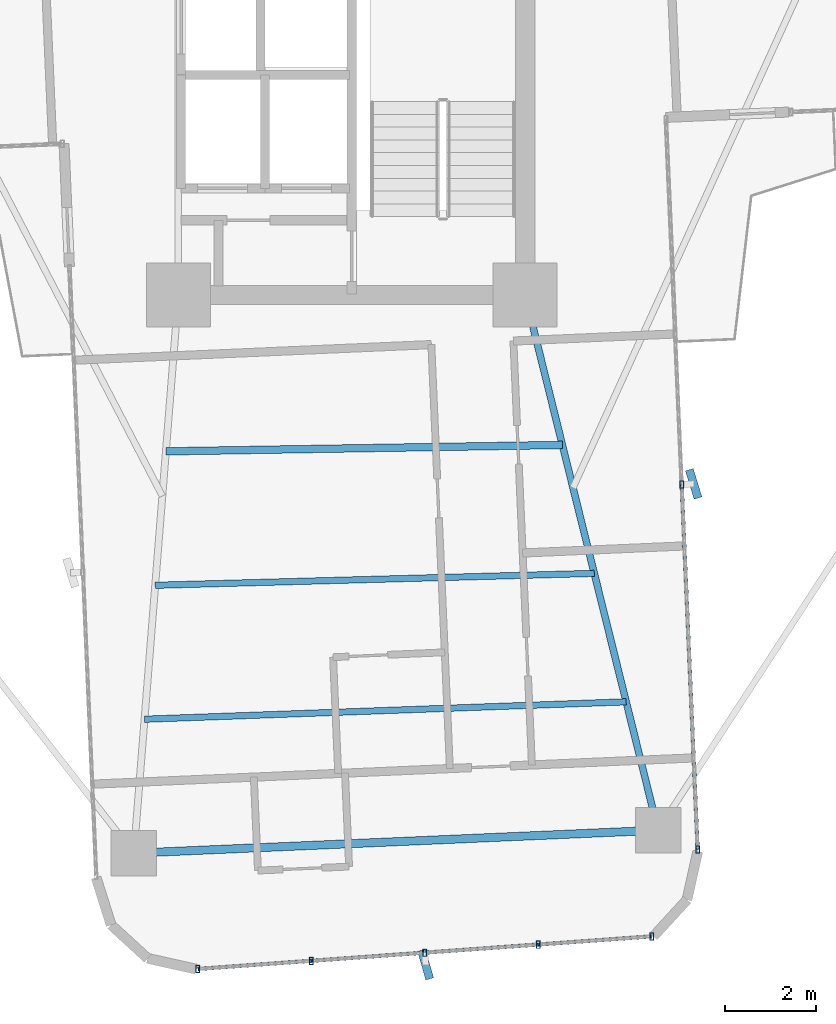
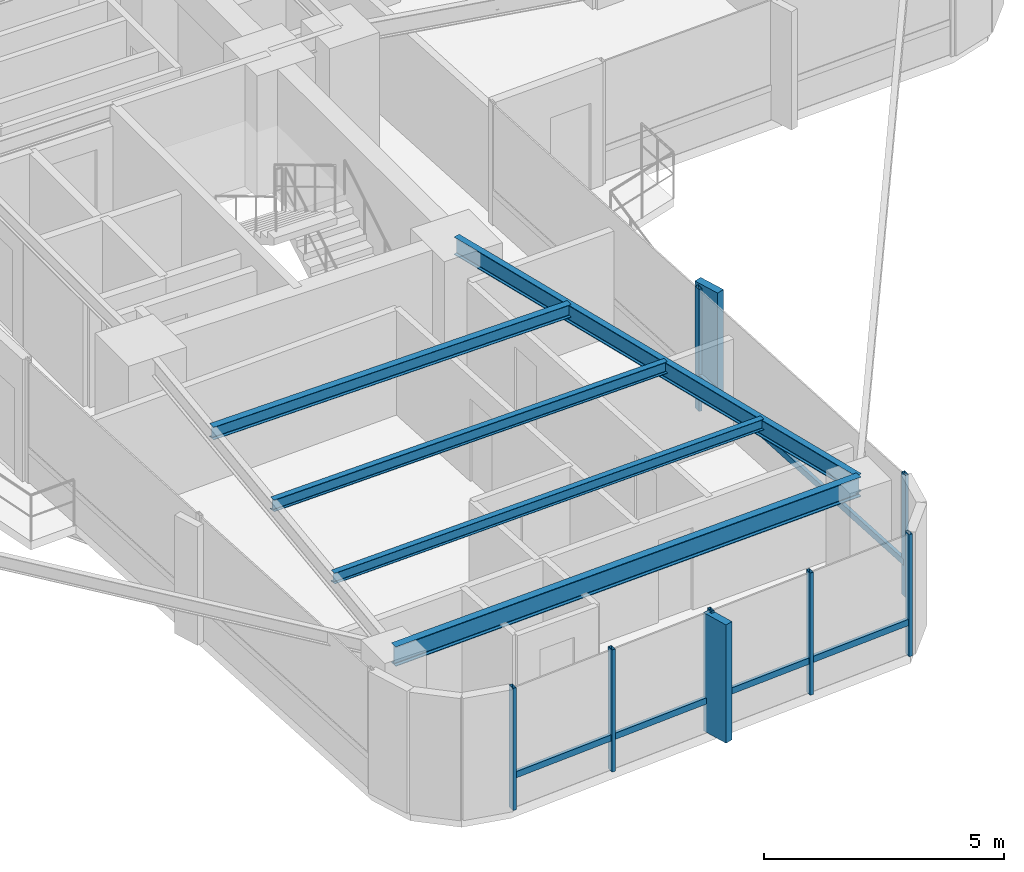
# One storey, part 6 of 26: 14 members, 5 beams, 2 elements without a shape of their own.
"""IFC4 building model written with IfcOpenShell, lengths in metres."""

from ifc_helpers import new_model, si_unit, direction, frame, origin, origin_2d, place, context, subcontext, project, spatial, rectangle, hollow_rectangle, i_section, extrude, source, transform, mapped, material, material_profile, profile_set, type_object, element, aggregate, save


model = new_model("IFC4")

# Units and contexts
model_context = context("Model", 3, precision=1e-05, world=origin(), true_north=direction((0.0, 1.0)))
body_context = subcontext(model_context, "Body", "Model", "MODEL_VIEW")
ifc_project = project(units=[si_unit("LENGTHUNIT", "METRE"), si_unit("AREAUNIT", "SQUARE_METRE"), si_unit("VOLUMEUNIT", "CUBIC_METRE"), si_unit("PLANEANGLEUNIT", "RADIAN"), si_unit("MASSUNIT", "GRAM", prefix="KILO")], contexts=[model_context])

# Site, building, storey
site_placement = place(None, origin())
site = spatial("IfcSite", under=ifc_project, at=site_placement, CompositionType="ELEMENT")
building_placement = place(site_placement, origin())
building = spatial("IfcBuilding", under=site, at=building_placement, Name="Sahyath Konkavel Grand Hotel", CompositionType="ELEMENT")
storey_placement = place(building_placement, frame((0.0, 0.0, 128.199951171875)))
storey = spatial("IfcBuildingStorey", under=building, at=storey_placement, Name="L35", CompositionType="ELEMENT", Elevation=128.199951171875)

# Beams
ifc_material_1 = material(Name="Steel E350", Category="steel")
ifc_material_profile_1 = material_profile(ifc_material_1, i_section(OverallWidth=0.14990234375, OverallDepth=0.449951171875, WebThickness=0.009521484375, FlangeThickness=0.017333984375, FilletRadius=0.014892578125, at=origin_2d()), Name="ISMB 450")
ifc_profile_set_1 = profile_set([ifc_material_profile_1], Name="Steel E350")
beam_type_1 = type_object("IfcBeamType", Name="BM-ISMB450", PredefinedType="BEAM", material=ifc_profile_set_1)
shared_shape_1 = source(origin(), body_context, "Body", "SweptSolid", [
    extrude(i_section(OverallWidth=0.14990234375, OverallDepth=0.449951171875, WebThickness=0.009521484375, FlangeThickness=0.017333984375, FilletRadius=0.014892578125, at=origin_2d()), origin(), (0.0, 0.0, 1.0), 12.084228515625),
])
beam_1_placement = place(storey_placement, frame((3.800048828125, -10.199951171875, 2.885009765625), z_axis=(0.241042688481, -0.970514514229, 0.0), x_axis=(0.970514514229, 0.241042688481, 0.0)))
element("IfcBeam", 1, at=beam_1_placement, inside=storey, type_object=beam_type_1, Name="L35 Cruciform Radial Girder SB", PredefinedType="BEAM", context=body_context, shape_type="MappedRepresentation", body=[
    mapped(shared_shape_1, transform((0.0, 0.0, 0.0), scale=1.0)),
])
ifc_material_profile_2 = material_profile(ifc_material_1, i_section(OverallWidth=0.179931640625, OverallDepth=0.5, WebThickness=0.01025390625, FlangeThickness=0.01708984375, FilletRadius=0.01708984375, at=origin_2d()), Name="ISMB 500")
ifc_profile_set_2 = profile_set([ifc_material_profile_2], Name="Steel E350")
beam_type_2 = type_object("IfcBeamType", Name="BM-ISMB500", PredefinedType="BEAM", material=ifc_profile_set_2)
shared_shape_2 = source(origin(), body_context, "Body", "SweptSolid", [
    extrude(i_section(OverallWidth=0.179931640625, OverallDepth=0.5, WebThickness=0.01025390625, FlangeThickness=0.01708984375, FilletRadius=0.01708984375, at=origin_2d()), origin(), (0.0, 0.0, 1.0), 11.5),
])
beam_2_placement = place(storey_placement, frame((-4.776123046875, -22.4296875, 2.860107421875), z_axis=(0.99904788879, 0.043627008892, 0.0), x_axis=(-0.043627008892, 0.99904788879, 0.0)))
element("IfcBeam", 2, at=beam_2_placement, inside=storey, type_object=beam_type_2, Name="L35 Wing Tip Edge Beam S", PredefinedType="BEAM", context=body_context, shape_type="MappedRepresentation", body=[
    mapped(shared_shape_2, transform((0.0, 0.0, 0.0), scale=1.0)),
])
ifc_material_profile_3 = material_profile(ifc_material_1, i_section(OverallWidth=0.1650390625, OverallDepth=0.324951171875, WebThickness=0.007080078125, FlangeThickness=0.009765625, FilletRadius=0.014892578125, at=origin_2d()), Name="ISLB 325")
ifc_profile_set_3 = profile_set([ifc_material_profile_3], Name="Steel E350")
beam_type_3 = type_object("IfcBeamType", Name="BM-ISLB325", PredefinedType="BEAM", material=ifc_profile_set_3)
shared_shape_3 = source(origin(), body_context, "Body", "SweptSolid", [
    extrude(i_section(OverallWidth=0.1650390625, OverallDepth=0.324951171875, WebThickness=0.007080078125, FlangeThickness=0.009765625, FilletRadius=0.014892578125, at=origin_2d()), origin(), (0.0, 0.0, 1.0), 8.68994140625),
])
beam_3_placement = place(storey_placement, frame((-4.0732421875, -13.624267578125, 2.947509765625), z_axis=(0.999869506431, 0.016154569283, 0.0), x_axis=(-0.016154569283, 0.999869506431, 0.0)))
element("IfcBeam", 3, at=beam_3_placement, inside=storey, type_object=beam_type_3, Name="L35 Secondary Floor Beam S-1", PredefinedType="BEAM", context=body_context, shape_type="MappedRepresentation", body=[
    mapped(shared_shape_3, transform((0.0, 0.0, 0.0), scale=1.0)),
])
ifc_material_profile_4 = material_profile(ifc_material_1, i_section(OverallWidth=0.139892578125, OverallDepth=0.300048828125, WebThickness=0.0078125, FlangeThickness=0.01318359375, FilletRadius=0.013916015625, at=origin_2d()), Name="ISMB 300")
ifc_profile_set_4 = profile_set([ifc_material_profile_4], Name="Steel E350")
beam_type_4 = type_object("IfcBeamType", Name="BM-ISMB300", PredefinedType="BEAM", material=ifc_profile_set_4)
shared_shape_4 = source(origin(), body_context, "Body", "SweptSolid", [
    extrude(i_section(OverallWidth=0.139892578125, OverallDepth=0.300048828125, WebThickness=0.0078125, FlangeThickness=0.01318359375, FilletRadius=0.013916015625, at=origin_2d()), origin(), (0.0, 0.0, 1.0), 9.625732421875),
])
beam_4_placement = place(storey_placement, frame((-4.3076171875, -16.559326171875, 2.9599609375), z_axis=(0.999633060528, 0.027087714933, 0.0), x_axis=(-0.027087714933, 0.999633060528, 0.0)))
element("IfcBeam", 4, at=beam_4_placement, inside=storey, type_object=beam_type_4, Name="L35 Secondary Floor Beam S-2", PredefinedType="BEAM", context=body_context, shape_type="MappedRepresentation", body=[
    mapped(shared_shape_4, transform((0.0, 0.0, 0.0), scale=1.0)),
])
ifc_material_profile_5 = material_profile(ifc_material_1, i_section(OverallWidth=0.139892578125, OverallDepth=0.27490234375, WebThickness=0.00634765625, FlangeThickness=0.0087890625, FilletRadius=0.012939453125, at=origin_2d()), Name="ISLB 275")
ifc_profile_set_5 = profile_set([ifc_material_profile_5], Name="Steel E350")
beam_type_5 = type_object("IfcBeamType", Name="BM-ISLB275", PredefinedType="BEAM", material=ifc_profile_set_5)
shared_shape_5 = source(origin(), body_context, "Body", "SweptSolid", [
    extrude(i_section(OverallWidth=0.139892578125, OverallDepth=0.27490234375, WebThickness=0.00634765625, FlangeThickness=0.0087890625, FilletRadius=0.012939453125, at=origin_2d()), origin(), (0.0, 0.0, 1.0), 10.562744140625),
])
beam_5_placement = place(storey_placement, frame((-4.5419921875, -19.49462890625, 2.97265625), z_axis=(0.999348077295, 0.036102914095, 0.0), x_axis=(-0.036102914095, 0.999348077295, 0.0)))
element("IfcBeam", 5, at=beam_5_placement, inside=storey, type_object=beam_type_5, Name="L35 Secondary Floor Beam S-3", PredefinedType="BEAM", context=body_context, shape_type="MappedRepresentation", body=[
    mapped(shared_shape_5, transform((0.0, 0.0, 0.0), scale=1.0)),
])

# Curtain wall, member
ifc_material_2 = material(Name="Anodised Bronze Aluminium & Low-E Glazing", Category="aluminium")
curtain_wall_type = type_object("IfcCurtainWallType", Name="CW-ZONE2", PredefinedType="NOTDEFINED", material=ifc_material_2)
curtain_wall_1_placement = place(storey_placement, origin())
curtain_wall_1 = element("IfcCurtainWall", 6, at=curtain_wall_1_placement, inside=storey, type_object=curtain_wall_type, Name="L35 Unitised Curtain Wall F28", PredefinedType="NOTDEFINED")
ifc_material_3 = material(Name="Warm Buff Sandstone Cladding on Concrete C50/60", Category="masonry")
ifc_material_profile_6 = material_profile(ifc_material_3, rectangle(XDim=0.179931640625, YDim=0.64990234375, at=origin_2d()), Name="FIN 180x650")
ifc_profile_set_6 = profile_set([ifc_material_profile_6], Name="Warm Buff Sandstone Cladding on Concrete C50/60")
member_type_1 = type_object("IfcMemberType", Name="FIN-SANDSTONE-650", PredefinedType="MULLION", material=ifc_profile_set_6)
shared_shape_6 = source(origin(), body_context, "Body", "SweptSolid", [
    extrude(rectangle(XDim=0.179931640625, YDim=0.64990234375, at=origin_2d()), origin(), (0.0, 0.0, 1.0), 3.010009765625),
])
member_1_placement = place(storey_placement, frame((1.61865234375, -24.872314453125, 0.050048828125), z_axis=(0.0, 0.0, 1.0), x_axis=(0.961069030524, 0.276308375854, 0.0)))
member_1 = element("IfcMember", 7, at=member_1_placement, type_object=member_type_1, Name="L35 Sandstone Vertical Solar Fin FIN F28-2", PredefinedType="MULLION", context=body_context, shape_type="MappedRepresentation", body=[
    mapped(shared_shape_6, transform((0.0, 0.0, 0.0), scale=1.0)),
])

curtain_wall_2_placement = place(storey_placement, origin())
curtain_wall_2 = element("IfcCurtainWall", 8, at=curtain_wall_2_placement, inside=storey, type_object=curtain_wall_type, Name="L35 Unitised Curtain Wall F31", PredefinedType="NOTDEFINED")
member_2_placement = place(storey_placement, frame((7.492431640625, -14.3369140625, 0.050048828125), z_axis=(0.0, 0.0, 1.0), x_axis=(0.955690317134, 0.294373942013, 0.0)))
member_2 = element("IfcMember", 9, at=member_2_placement, type_object=member_type_1, Name="L35 Sandstone Vertical Solar Fin FIN F31-1", PredefinedType="MULLION", context=body_context, shape_type="MappedRepresentation", body=[
    mapped(shared_shape_6, transform((0.0, 0.0, 0.0), scale=1.0)),
])

# Member
ifc_material_4 = material(Name="Anodised Bronze Aluminium", Category="aluminium")
ifc_material_profile_7 = material_profile(ifc_material_4, hollow_rectangle(XDim=0.080078125, YDim=0.159912109375, WallThickness=0.006103515625, at=origin_2d()), Name="RHS 160x80x6")
ifc_profile_set_7 = profile_set([ifc_material_profile_7], Name="Anodised Bronze Aluminium")
member_type_2 = type_object("IfcMemberType", Name="CW-MUL-160", PredefinedType="MULLION", material=ifc_profile_set_7)
shared_shape_7 = source(origin(), body_context, "Body", "SweptSolid", [
    extrude(hollow_rectangle(XDim=0.080078125, YDim=0.159912109375, WallThickness=0.006103515625, at=origin_2d()), origin(), (0.0, 0.0, 1.0), 3.110107421875),
])
member_3_placement = place(storey_placement, frame((-3.3740234375, -24.9697265625, 0.0), z_axis=(0.0, 0.0, 1.0), x_axis=(1.0, 0.0, 0.0)))
member_3 = element("IfcMember", 10, at=member_3_placement, type_object=member_type_2, Name="L35 Curtain Wall Mullion F28-0", PredefinedType="MULLION", context=body_context, shape_type="MappedRepresentation", body=[
    mapped(shared_shape_7, transform((0.0, 0.0, 0.0), scale=1.0)),
])

member_4_placement = place(storey_placement, frame((-0.886962890625, -24.79150390625, 0.0), z_axis=(0.0, 0.0, 1.0), x_axis=(1.0, 0.0, 0.0)))
member_4 = element("IfcMember", 11, at=member_4_placement, type_object=member_type_2, Name="L35 Curtain Wall Mullion F28-1", PredefinedType="MULLION", context=body_context, shape_type="MappedRepresentation", body=[
    mapped(shared_shape_7, transform((0.0, 0.0, 0.0), scale=1.0)),
])

member_5_placement = place(storey_placement, frame((1.60009765625, -24.61279296875, 0.0), z_axis=(0.0, 0.0, 1.0), x_axis=(1.0, 0.0, 0.0)))
member_5 = element("IfcMember", 12, at=member_5_placement, type_object=member_type_2, Name="L35 Curtain Wall Mullion F28-2", PredefinedType="MULLION", context=body_context, shape_type="MappedRepresentation", body=[
    mapped(shared_shape_7, transform((0.0, 0.0, 0.0), scale=1.0)),
])

member_6_placement = place(storey_placement, frame((4.087158203125, -24.4345703125, 0.0), z_axis=(0.0, 0.0, 1.0), x_axis=(1.0, 0.0, 0.0)))
member_6 = element("IfcMember", 13, at=member_6_placement, type_object=member_type_2, Name="L35 Curtain Wall Mullion F28-3", PredefinedType="MULLION", context=body_context, shape_type="MappedRepresentation", body=[
    mapped(shared_shape_7, transform((0.0, 0.0, 0.0), scale=1.0)),
])

member_7_placement = place(storey_placement, frame((6.57421875, -24.256103515625, 0.0), z_axis=(0.0, 0.0, 1.0), x_axis=(1.0, 0.0, 0.0)))
member_7 = element("IfcMember", 14, at=member_7_placement, type_object=member_type_2, Name="L35 Curtain Wall Mullion F28-4", PredefinedType="MULLION", context=body_context, shape_type="MappedRepresentation", body=[
    mapped(shared_shape_7, transform((0.0, 0.0, 0.0), scale=1.0)),
])

member_8_placement = place(storey_placement, frame((7.582275390625, -22.3505859375, 0.0), z_axis=(0.0, 0.0, 1.0), x_axis=(1.0, 0.0, 0.0)))
member_8 = element("IfcMember", 15, at=member_8_placement, type_object=member_type_2, Name="L35 Curtain Wall Mullion F31-0", PredefinedType="MULLION", context=body_context, shape_type="MappedRepresentation", body=[
    mapped(shared_shape_7, transform((0.0, 0.0, 0.0), scale=1.0)),
])

member_9_placement = place(storey_placement, frame((7.232666015625, -14.34814453125, 0.0), z_axis=(0.0, 0.0, 1.0), x_axis=(1.0, 0.0, 0.0)))
member_9 = element("IfcMember", 16, at=member_9_placement, type_object=member_type_2, Name="L35 Curtain Wall Mullion F31-1", PredefinedType="MULLION", context=body_context, shape_type="MappedRepresentation", body=[
    mapped(shared_shape_7, transform((0.0, 0.0, 0.0), scale=1.0)),
])

ifc_material_profile_8 = material_profile(ifc_material_4, hollow_rectangle(XDim=0.080078125, YDim=0.159912109375, WallThickness=0.006103515625, at=origin_2d()), Name="RHS 160x80x6")
ifc_profile_set_8 = profile_set([ifc_material_profile_8], Name="Anodised Bronze Aluminium")
member_type_3 = type_object("IfcMemberType", Name="CW-TRN-160", PredefinedType="USERDEFINED", material=ifc_profile_set_8)
shared_shape_8 = source(origin(), body_context, "Body", "SweptSolid", [
    extrude(hollow_rectangle(XDim=0.080078125, YDim=0.159912109375, WallThickness=0.006103515625, at=origin_2d()), origin(), (0.0, 0.0, 1.0), 2.493408203125),
])
member_10_placement = place(storey_placement, frame((-3.3740234375, -24.9697265625, 0.85009765625), z_axis=(0.997442271688, 0.071476672066, 0.0), x_axis=(-0.071476672066, 0.997442271688, 0.0)))
member_10 = element("IfcMember", 17, at=member_10_placement, type_object=member_type_3, Name="L35 Curtain Wall Transom F28-0-spandrel", ObjectType="TRANSOM", PredefinedType="USERDEFINED", context=body_context, shape_type="MappedRepresentation", body=[
    mapped(shared_shape_8, transform((0.0, 0.0, 0.0), scale=1.0)),
])

member_11_placement = place(storey_placement, frame((-0.886962890625, -24.79150390625, 0.85009765625), z_axis=(0.997428291631, 0.071671494009, 0.0), x_axis=(-0.071671494009, 0.997428291631, 0.0)))
member_11 = element("IfcMember", 18, at=member_11_placement, type_object=member_type_3, Name="L35 Curtain Wall Transom F28-1-spandrel", ObjectType="TRANSOM", PredefinedType="USERDEFINED", context=body_context, shape_type="MappedRepresentation", body=[
    mapped(shared_shape_8, transform((0.0, 0.0, 0.0), scale=1.0)),
])

member_12_placement = place(storey_placement, frame((1.60009765625, -24.61279296875, 0.85009765625), z_axis=(0.997442271688, 0.071476672066, 0.0), x_axis=(-0.071476672066, 0.997442271688, 0.0)))
member_12 = element("IfcMember", 19, at=member_12_placement, type_object=member_type_3, Name="L35 Curtain Wall Transom F28-2-spandrel", ObjectType="TRANSOM", PredefinedType="USERDEFINED", context=body_context, shape_type="MappedRepresentation", body=[
    mapped(shared_shape_8, transform((0.0, 0.0, 0.0), scale=1.0)),
])

member_13_placement = place(storey_placement, frame((4.087158203125, -24.4345703125, 0.85009765625), z_axis=(0.997435286367, 0.071574084062, 0.0), x_axis=(-0.071574084062, 0.997435286367, 0.0)))
member_13 = element("IfcMember", 20, at=member_13_placement, type_object=member_type_3, Name="L35 Curtain Wall Transom F28-3-spandrel", ObjectType="TRANSOM", PredefinedType="USERDEFINED", context=body_context, shape_type="MappedRepresentation", body=[
    mapped(shared_shape_8, transform((0.0, 0.0, 0.0), scale=1.0)),
])

aggregate(curtain_wall_1, [member_3, member_4, member_5, member_1, member_6, member_7, member_10, member_11, member_12, member_13])

shared_shape_9 = source(origin(), body_context, "Body", "SweptSolid", [
    extrude(hollow_rectangle(XDim=0.080078125, YDim=0.159912109375, WallThickness=0.006103515625, at=origin_2d()), origin(), (0.0, 0.0, 1.0), 8.010009765625),
])
member_14_placement = place(storey_placement, frame((7.582275390625, -22.3505859375, 0.85009765625), z_axis=(-0.043646207089, 0.999047050247, 0.0), x_axis=(-0.999047050247, -0.043646207089, 0.0)))
member_14 = element("IfcMember", 21, at=member_14_placement, type_object=member_type_3, Name="L35 Curtain Wall Transom F31-0-spandrel", ObjectType="TRANSOM", PredefinedType="USERDEFINED", context=body_context, shape_type="MappedRepresentation", body=[
    mapped(shared_shape_9, transform((0.0, 0.0, 0.0), scale=1.0)),
])

aggregate(curtain_wall_2, [member_8, member_9, member_2, member_14])

save(model, "model.ifc")
